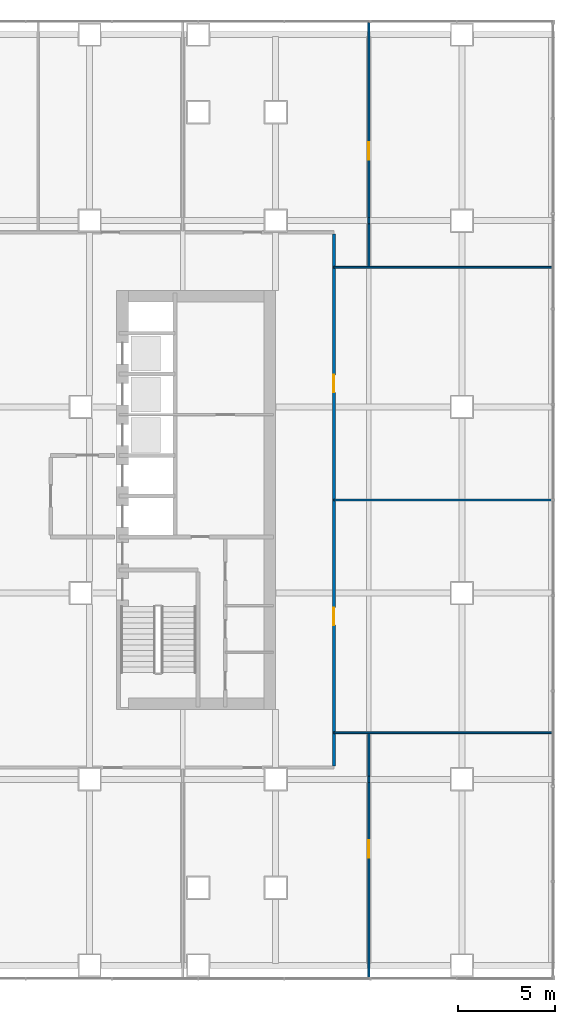
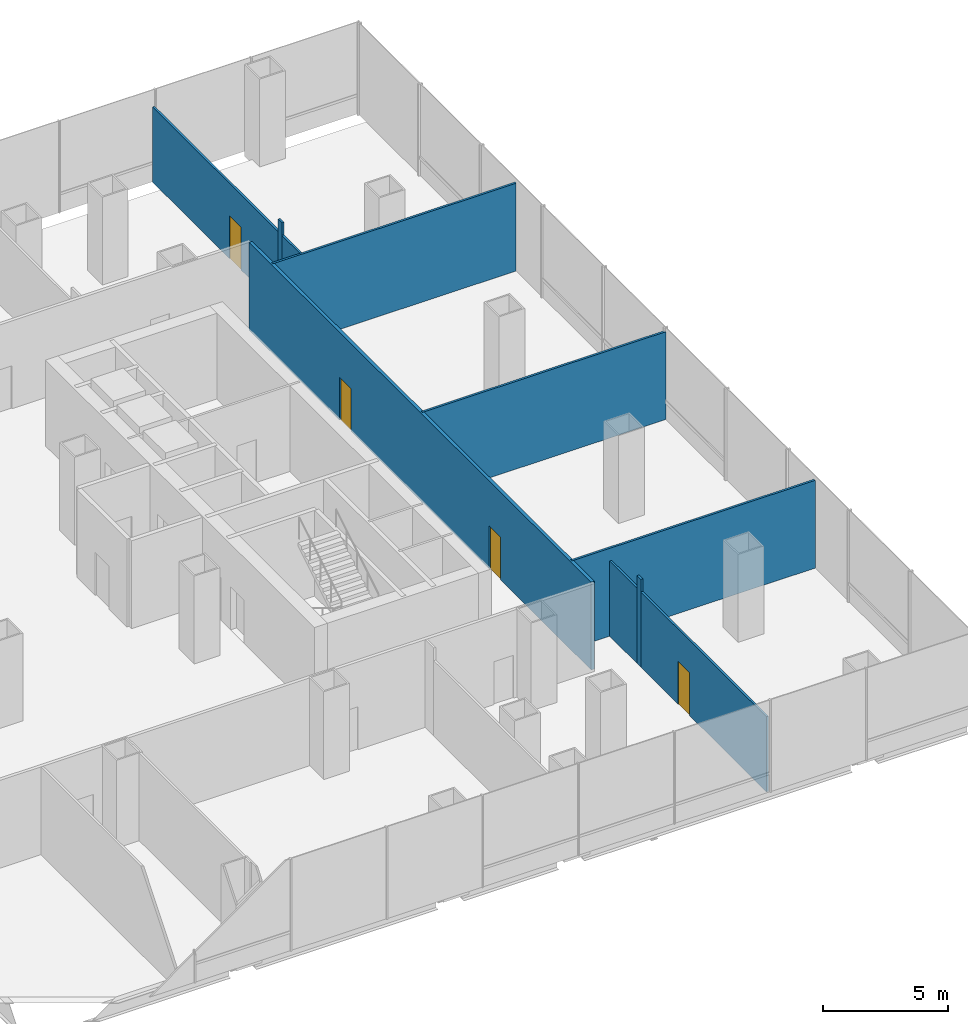
# One storey, part 20 of 23: 10 walls, 4 doors, 4 openings.
"""IFC4 building model written with IfcOpenShell, lengths in metres."""

import ifcopenshell
import ifcopenshell.guid

model = None  # the IFC model being written
_history = None  # IfcOwnerHistory: only IFC2X3 demands one
_inside = {}  # id of a spatial element -> (the spatial element, [elements in it])
_under = {}  # id of a project, library or spatial element -> (it, [spatial elements below it])
_declared = {}  # id of a project -> (the project, [libraries it declares])
_typed = {}  # id of a type object -> (the type object, [elements of that type])
_made_of = {}  # id of a material, layer set ... -> (it, [elements and type objects made of it])


def new_model(schema):
    """Start an empty IFC model of exactly this schema.

    Asked for "IFC4X3", IfcOpenShell would pick the latest addendum, in which some entities
    have other attributes; the version numbers below select the first issue.
    IFC2X3 requires an IfcOwnerHistory on every rooted entity: one is made here for all.
    """
    global model, _history
    if schema == "IFC4X3":
        model = ifcopenshell.file(schema_version=(4, 3, 0, 0))
    else:
        model = ifcopenshell.file(schema=schema)
    _inside.clear()
    _under.clear()
    _declared.clear()
    _typed.clear()
    _made_of.clear()
    _history = None
    if model.schema == "IFC2X3":
        org = make("IfcOrganization", Name="unknown")
        user = make(
            "IfcPersonAndOrganization",
            ThePerson=make("IfcPerson", FamilyName="unknown"),
            TheOrganization=org,
        )
        app = make(
            "IfcApplication",
            ApplicationDeveloper=org,
            Version="unknown",
            ApplicationFullName="unknown",
            ApplicationIdentifier="unknown",
        )
        _history = make(
            "IfcOwnerHistory",
            OwningUser=user,
            OwningApplication=app,
            ChangeAction="ADDED",
            CreationDate=0,
        )
    return model


def make(cls, **values):
    """One entity of the class cls with the attributes given. An attribute that is None is left unset."""
    return model.create_entity(
        cls, **{name: value for name, value in values.items() if value is not None}
    )


def rooted(cls, **values):
    """An entity with a GlobalId (a new one), such as an element, a storey or a relation."""
    return make(cls, GlobalId=ifcopenshell.guid.new(), OwnerHistory=_history, **values)


def si_unit(unit_type, name, prefix=None):
    """IfcSIUnit, for example si_unit("LENGTHUNIT", "METRE", prefix="MILLI")."""
    return make("IfcSIUnit", UnitType=unit_type, Prefix=prefix, Name=name)


def assignment(units):
    """IfcUnitAssignment: the units of a project."""
    return None if units is None else make("IfcUnitAssignment", Units=units)


def point(xyz):
    """IfcCartesianPoint."""
    return None if xyz is None else make("IfcCartesianPoint", Coordinates=xyz)


def direction(xyz):
    """IfcDirection."""
    return None if xyz is None else make("IfcDirection", DirectionRatios=xyz)


def frame(location, z_axis=None, x_axis=None):
    """IfcAxis2Placement3D, a coordinate frame: its origin and axes. An axis left out is left unset."""
    return make(
        "IfcAxis2Placement3D",
        Location=point(location),
        Axis=direction(z_axis),
        RefDirection=direction(x_axis),
    )


def frame_2d(location, x_axis=None):
    """IfcAxis2Placement2D, a coordinate frame in the plane: its origin and x axis."""
    return make(
        "IfcAxis2Placement2D", Location=point(location), RefDirection=direction(x_axis)
    )


def origin():
    """The frame at (0, 0, 0) with its axes left unset."""
    return frame((0.0, 0.0, 0.0))


def place(relative_to, where):
    """IfcLocalPlacement: puts the frame where relative to a parent placement (None: the world)."""
    return make(
        "IfcLocalPlacement", PlacementRelTo=relative_to, RelativePlacement=where
    )


def context(
    kind, dimensions, precision=None, world=None, true_north=None, identifier=None
):
    """IfcGeometricRepresentationContext, for example the 3D "Model" context."""
    return make(
        "IfcGeometricRepresentationContext",
        ContextIdentifier=identifier,
        ContextType=kind,
        CoordinateSpaceDimension=dimensions,
        Precision=precision,
        WorldCoordinateSystem=world,
        TrueNorth=true_north,
    )


def subcontext(parent, identifier, kind, view, scale=None):
    """IfcGeometricRepresentationSubContext, for example "Body" below "Model"."""
    return make(
        "IfcGeometricRepresentationSubContext",
        ContextIdentifier=identifier,
        ContextType=kind,
        ParentContext=parent,
        TargetScale=scale,
        TargetView=view,
    )


def project(units=None, contexts=None):
    """IfcProject with its units and contexts."""
    return rooted(
        "IfcProject",
        Name="project",
        RepresentationContexts=contexts,
        UnitsInContext=assignment(units),
    )


def spatial(cls, under=None, at=None, **own):
    """A site, building, storey or space (cls), placed at a placement, below another one or the project."""
    s = rooted(cls, ObjectPlacement=at, **own)
    if under is not None:
        _under.setdefault(under.id(), (under, []))[1].append(s)
    return s


def profile(cls, at=None, kind="AREA", **sizes):
    """A parametric profile (cls). Its sizes go by their IFC names, for example OverallWidth=200.0."""
    return make(cls, ProfileType=kind, Position=at, **sizes)


def rectangle(**sizes):
    """IfcRectangleProfileDef."""
    return profile("IfcRectangleProfileDef", **sizes)


def extrude(swept, where, along, depth):
    """IfcExtrudedAreaSolid: the profile swept, set in the frame where, extruded along a direction by depth."""
    return make(
        "IfcExtrudedAreaSolid",
        SweptArea=swept,
        Position=where,
        ExtrudedDirection=direction(along),
        Depth=depth,
    )


def shape(context_of_items, identifier, shape_type, items):
    """IfcShapeRepresentation: the items that make up one representation, for example the "Body"."""
    return make(
        "IfcShapeRepresentation",
        ContextOfItems=context_of_items,
        RepresentationIdentifier=identifier,
        RepresentationType=shape_type,
        Items=items,
    )


def material(Name=None, Category=None):
    """IfcMaterial."""
    return make("IfcMaterial", Name=Name, Category=Category)


def layer(
    of_material, thickness, ventilated=None, Name=None, Category=None, Priority=None
):
    """IfcMaterialLayer: one layer of a wall or slab, of a material (None: an air gap)."""
    return make(
        "IfcMaterialLayer",
        Material=of_material,
        LayerThickness=thickness,
        IsVentilated=ventilated,
        Name=Name,
        Category=Category,
        Priority=Priority,
    )


def layer_set(layers, Name=None):
    """IfcMaterialLayerSet."""
    return make("IfcMaterialLayerSet", MaterialLayers=layers, LayerSetName=Name)


def made_of(thing, what):
    """Note that an element or type object is made of a material, layer set ...; save() writes the relation."""
    if what is not None:
        _made_of.setdefault(what.id(), (what, []))[1].append(thing)
    return thing


def type_object(cls, material=None, **own):
    """A type object (cls), such as IfcWallType, which elements share."""
    return made_of(rooted(cls, **own), material)


def element(
    cls,
    number,
    at=None,
    inside=None,
    cuts=None,
    type_object=None,
    material=None,
    context=None,
    identifier="Body",
    shape_type=None,
    held_by="IfcProductDefinitionShape",
    body=None,
    shapes=None,
    **own,
):
    """One element of the class cls, such as IfcWall. Its Tag is "e" and its number.

    at: its placement. inside: the storey or other place that contains it. cuts: it is an
    opening in that element (IfcRelVoidsElement). A single representation is given by context,
    identifier, shape_type and body (its items); several are given by shapes. held_by: the class
    of the entity that holds the representations. save() writes the other relations.
    """
    e = rooted(cls, Tag="e%d" % number, ObjectPlacement=at, **own)
    if body is not None:
        shapes = [shape(context, identifier, shape_type, body)]
    if shapes is not None:
        e.Representation = make(held_by, Representations=shapes)
    if inside is not None:
        _inside.setdefault(inside.id(), (inside, []))[1].append(e)
    if cuts is not None:
        rooted(
            "IfcRelVoidsElement", RelatingBuildingElement=cuts, RelatedOpeningElement=e
        )
    if type_object is not None:
        _typed.setdefault(type_object.id(), (type_object, []))[1].append(e)
    return made_of(e, material)


def fill(opening, filler):
    """IfcRelFillsElement: the door or window that sits in an opening."""
    return rooted(
        "IfcRelFillsElement",
        RelatingOpeningElement=opening,
        RelatedBuildingElement=filler,
    )


def aggregate(whole, parts):
    """IfcRelAggregates: a whole, such as a stair, and the parts it consists of."""
    return rooted("IfcRelAggregates", RelatingObject=whole, RelatedObjects=parts)


def save(model, path):
    """Write the relations noted so far, then the file.

    IfcRelAggregates (storeys below a building ...), IfcRelContainedInSpatialStructure (elements
    in a storey), IfcRelDefinesByType, IfcRelAssociatesMaterial and IfcRelDeclares: one each for
    every whole, place, type object, material and project.
    """
    for whole, parts in _under.values():
        aggregate(whole, parts)
    for where, things in _inside.values():
        rooted(
            "IfcRelContainedInSpatialStructure",
            RelatedElements=things,
            RelatingStructure=where,
        )
    for kind, things in _typed.values():
        rooted("IfcRelDefinesByType", RelatedObjects=things, RelatingType=kind)
    for what, things in _made_of.values():
        rooted("IfcRelAssociatesMaterial", RelatedObjects=things, RelatingMaterial=what)
    for by, libraries in _declared.values():
        rooted("IfcRelDeclares", RelatingContext=by, RelatedDefinitions=libraries)
    model.write(path)


model = new_model("IFC4")

# Units and contexts
model_context = context("Model", 3, precision=1e-05, world=origin(), true_north=direction((0.0, 1.0)))
body_context = subcontext(model_context, "Body", "Model", "MODEL_VIEW")
ifc_project = project(units=[si_unit("LENGTHUNIT", "METRE"), si_unit("AREAUNIT", "SQUARE_METRE"), si_unit("VOLUMEUNIT", "CUBIC_METRE"), si_unit("PLANEANGLEUNIT", "RADIAN"), si_unit("MASSUNIT", "GRAM", prefix="KILO")], contexts=[model_context])

# Site, building, storey
site_placement = place(None, origin())
site = spatial("IfcSite", under=ifc_project, at=site_placement, CompositionType="ELEMENT")
building_placement = place(site_placement, origin())
building = spatial("IfcBuilding", under=site, at=building_placement, Name="Cobrizo Arcos Hotel Tower", CompositionType="ELEMENT")
storey_placement = place(building_placement, frame((0.0, 0.0, 20.0)))
storey = spatial("IfcBuildingStorey", under=building, at=storey_placement, Name="L03", CompositionType="ELEMENT", Elevation=20.0)

# Wall, openings, doors
ifc_material_1 = material(Name="Gypsum board partition")
ifc_layer_1 = layer(ifc_material_1, 0.14990234375)
ifc_layer_set_1 = layer_set([ifc_layer_1], Name="Corridor wall EI 60 150")
wall_type_1 = type_object("IfcWallType", Name="Corridor wall EI 60 150", PredefinedType="PARTITIONING", material=ifc_layer_set_1)
wall_1_placement = place(storey_placement, frame((27.0, -13.72509765625, 0.0), z_axis=(0.0, 0.0, 1.0), x_axis=(0.0, 1.0, 0.0)))
wall_1 = element("IfcWall", 1, at=wall_1_placement, inside=storey, type_object=wall_type_1, Name="Partition 075", PredefinedType="PARTITIONING", context=body_context, shape_type="SweptSolid", body=[
    extrude(rectangle(XDim=27.4501953125, YDim=0.14990234375, at=frame_2d((13.72509765625, 0.0))), origin(), (0.0, 0.0, 1.0), 4.300048828125),
])
opening_1_placement = place(wall_1_placement, frame((7.27490234375, 0.0, 0.0)))
opening_1 = element("IfcOpeningElement", 2, at=opening_1_placement, cuts=wall_1, Name="Opening RD-27", PredefinedType="OPENING", context=body_context, shape_type="SweptSolid", body=[
    extrude(rectangle(XDim=0.89990234375, YDim=2.10009765625, at=frame_2d((0.449951171875, 1.050048828125))), frame((0.0, 0.0869140625, 0.0), z_axis=(0.0, -1.0, 0.0), x_axis=(1.0, 0.0, 0.0)), (0.0, 0.0, 1.0), 0.173828125),
])
opening_2_placement = place(wall_1_placement, frame((19.27490234375, 0.0, 0.0)))
opening_2 = element("IfcOpeningElement", 3, at=opening_2_placement, cuts=wall_1, Name="Opening RD-28", PredefinedType="OPENING", context=body_context, shape_type="SweptSolid", body=[
    extrude(rectangle(XDim=0.89990234375, YDim=2.10009765625, at=frame_2d((0.449951171875, 1.050048828125))), frame((0.0, 0.0869140625, 0.0), z_axis=(0.0, -1.0, 0.0), x_axis=(1.0, 0.0, 0.0)), (0.0, 0.0, 1.0), 0.173828125),
])
ifc_material_2 = material(Name="Timber door leaf", Category="wood")
door_type = type_object("IfcDoorType", Name="Room door FD30 900x2100", OperationType="SINGLE_SWING_LEFT", PredefinedType="DOOR", material=ifc_material_2)
door_1_placement = place(opening_1_placement, origin())
door_1 = element("IfcDoor", 4, at=door_1_placement, inside=storey, type_object=door_type, Name="Door RD-27", OperationType="SINGLE_SWING_LEFT", OverallHeight=2.10009765625, OverallWidth=0.89990234375, PredefinedType="DOOR", context=body_context, shape_type="SweptSolid", body=[
    extrude(rectangle(XDim=0.89990234375, YDim=2.10009765625, at=frame_2d((0.449951171875, 1.050048828125))), frame((0.0, 0.02490234375, 0.0), z_axis=(0.0, -1.0, 0.0), x_axis=(1.0, 0.0, 0.0)), (0.0, 0.0, 1.0), 0.050048828125),
])
fill(opening_1, door_1)
door_2_placement = place(opening_2_placement, origin())
door_2 = element("IfcDoor", 5, at=door_2_placement, inside=storey, type_object=door_type, Name="Door RD-28", OperationType="SINGLE_SWING_RIGHT", OverallHeight=2.10009765625, OverallWidth=0.89990234375, PredefinedType="DOOR", context=body_context, shape_type="SweptSolid", body=[
    extrude(rectangle(XDim=0.89990234375, YDim=2.10009765625, at=frame_2d((0.449951171875, 1.050048828125))), frame((0.0, 0.02490234375, 0.0), z_axis=(0.0, -1.0, 0.0), x_axis=(1.0, 0.0, 0.0)), (0.0, 0.0, 1.0), 0.050048828125),
])
fill(opening_2, door_2)

# Walls
ifc_layer_2 = layer(ifc_material_1, 0.10009765625)
ifc_layer_set_2 = layer_set([ifc_layer_2], Name="Partition EI 30 100")
wall_type_2 = type_object("IfcWallType", Name="Partition EI 30 100", PredefinedType="PARTITIONING", material=ifc_layer_set_2)
for number, where, z_axis, x_axis, name in (
    (6, (27.0, -12.0, 0.0), (0.0, 0.0, 1.0), (1.0, 0.0, 0.0), "Partition 004"),
    (7, (27.0, 0.0, 0.0), (0.0, 0.0, 1.0), (1.0, 0.0, 0.0), "Partition 016"),
    (8, (27.0, 12.0, 0.0), (0.0, 0.0, 1.0), (1.0, 0.0, 0.0), "Partition 030"),
):
    element("IfcWall", number, at=place(storey_placement, frame(where, z_axis=z_axis, x_axis=x_axis)), inside=storey, type_object=wall_type_2, Name=name, PredefinedType="PARTITIONING", context=body_context, shape_type="SweptSolid", body=[
        extrude(rectangle(XDim=11.280029296875, YDim=0.10009765625, at=frame_2d((5.64013671875, 0.0))), origin(), (0.0, 0.0, 1.0), 4.300048828125),
    ])

# Wall, opening, door
wall_2_placement = place(storey_placement, frame((28.800048828125, -24.6298828125, 0.0), z_axis=(0.0, 0.0, 1.0), x_axis=(0.0, 1.0, 0.0)))
wall_2 = element("IfcWall", 9, at=wall_2_placement, inside=storey, type_object=wall_type_2, Name="Partition 076", PredefinedType="PARTITIONING", context=body_context, shape_type="SweptSolid", body=[
    extrude(rectangle(XDim=10.076171875, YDim=0.10009765625, at=frame_2d((5.0380859375, 0.0))), origin(), (0.0, 0.0, 1.0), 3.68310546875),
])
opening_3_placement = place(wall_2_placement, frame((6.179931640625, 0.0, 0.0)))
opening_3 = element("IfcOpeningElement", 10, at=opening_3_placement, cuts=wall_2, Name="Opening RD-34", PredefinedType="OPENING", context=body_context, shape_type="SweptSolid", body=[
    extrude(rectangle(XDim=0.89990234375, YDim=2.10009765625, at=frame_2d((0.449951171875, 1.050048828125))), frame((0.0, 0.06201171875, 0.0), z_axis=(0.0, -1.0, 0.0), x_axis=(1.0, 0.0, 0.0)), (0.0, 0.0, 1.0), 0.1240234375),
])
door_3_placement = place(opening_3_placement, origin())
door_3 = element("IfcDoor", 11, at=door_3_placement, inside=storey, type_object=door_type, Name="Door RD-34", OperationType="SINGLE_SWING_RIGHT", OverallHeight=2.10009765625, OverallWidth=0.89990234375, PredefinedType="DOOR", context=body_context, shape_type="SweptSolid", body=[
    extrude(rectangle(XDim=0.89990234375, YDim=2.10009765625, at=frame_2d((0.449951171875, 1.050048828125))), frame((0.0, 0.02490234375, 0.0), z_axis=(0.0, -1.0, 0.0), x_axis=(1.0, 0.0, 0.0)), (0.0, 0.0, 1.0), 0.050048828125),
])
fill(opening_3, door_3)

# Walls
wall_3_placement = place(storey_placement, frame((28.800048828125, -14.553955078125, 0.0), z_axis=(0.0, 0.0, 1.0), x_axis=(0.0, 1.0, 0.0)))
element("IfcWall", 12, at=wall_3_placement, inside=storey, type_object=wall_type_2, Name="Partition 077", PredefinedType="PARTITIONING", context=body_context, shape_type="SweptSolid", body=[
    extrude(rectangle(XDim=0.307861328125, YDim=0.10009765625, at=frame_2d((0.15380859375, 0.0))), origin(), (0.0, 0.0, 1.0), 4.300048828125),
])
for number, where, z_axis, x_axis, name in (
    (13, (28.800048828125, -14.24609375, 0.0), (0.0, 0.0, 1.0), (0.0, 1.0, 0.0), "Partition 078"),
    (14, (28.800048828125, 12.050048828125, 0.0), (0.0, 0.0, 1.0), (0.0, 1.0, 0.0), "Partition 079"),
):
    element("IfcWall", number, at=place(storey_placement, frame(where, z_axis=z_axis, x_axis=x_axis)), inside=storey, type_object=wall_type_2, Name=name, PredefinedType="PARTITIONING", context=body_context, shape_type="SweptSolid", body=[
        extrude(rectangle(XDim=2.196044921875, YDim=0.10009765625, at=frame_2d((1.09814453125, 0.0))), origin(), (0.0, 0.0, 1.0), 3.68310546875),
    ])
wall_4_placement = place(storey_placement, frame((28.800048828125, 14.24609375, 0.0), z_axis=(0.0, 0.0, 1.0), x_axis=(0.0, 1.0, 0.0)))
element("IfcWall", 15, at=wall_4_placement, inside=storey, type_object=wall_type_2, Name="Partition 080", PredefinedType="PARTITIONING", context=body_context, shape_type="SweptSolid", body=[
    extrude(rectangle(XDim=0.307861328125, YDim=0.10009765625, at=frame_2d((0.15380859375, 0.0))), origin(), (0.0, 0.0, 1.0), 4.300048828125),
])

# Wall, opening, door
wall_5_placement = place(storey_placement, frame((28.800048828125, 14.5537109375, 0.0), z_axis=(0.0, 0.0, 1.0), x_axis=(0.0, 1.0, 0.0)))
wall_5 = element("IfcWall", 16, at=wall_5_placement, inside=storey, type_object=wall_type_2, Name="Partition 081", PredefinedType="PARTITIONING", context=body_context, shape_type="SweptSolid", body=[
    extrude(rectangle(XDim=10.076171875, YDim=0.10009765625, at=frame_2d((5.0380859375, 0.0))), origin(), (0.0, 0.0, 1.0), 3.68310546875),
])
opening_4_placement = place(wall_5_placement, frame((2.99609375, 0.0, 0.0)))
opening_4 = element("IfcOpeningElement", 17, at=opening_4_placement, cuts=wall_5, Name="Opening RD-35", PredefinedType="OPENING", context=body_context, shape_type="SweptSolid", body=[
    extrude(rectangle(XDim=0.89990234375, YDim=2.10009765625, at=frame_2d((0.449951171875, 1.050048828125))), frame((0.0, 0.06201171875, 0.0), z_axis=(0.0, -1.0, 0.0), x_axis=(1.0, 0.0, 0.0)), (0.0, 0.0, 1.0), 0.1240234375),
])
door_4_placement = place(opening_4_placement, origin())
door_4 = element("IfcDoor", 18, at=door_4_placement, inside=storey, type_object=door_type, Name="Door RD-35", OperationType="SINGLE_SWING_RIGHT", OverallHeight=2.10009765625, OverallWidth=0.89990234375, PredefinedType="DOOR", context=body_context, shape_type="SweptSolid", body=[
    extrude(rectangle(XDim=0.89990234375, YDim=2.10009765625, at=frame_2d((0.449951171875, 1.050048828125))), frame((0.0, 0.02490234375, 0.0), z_axis=(0.0, -1.0, 0.0), x_axis=(1.0, 0.0, 0.0)), (0.0, 0.0, 1.0), 0.050048828125),
])
fill(opening_4, door_4)

save(model, "model.ifc")
